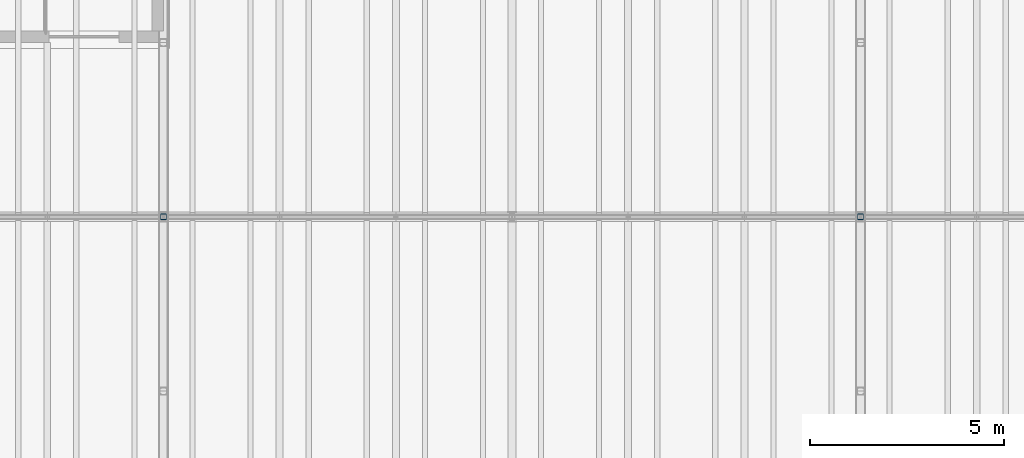
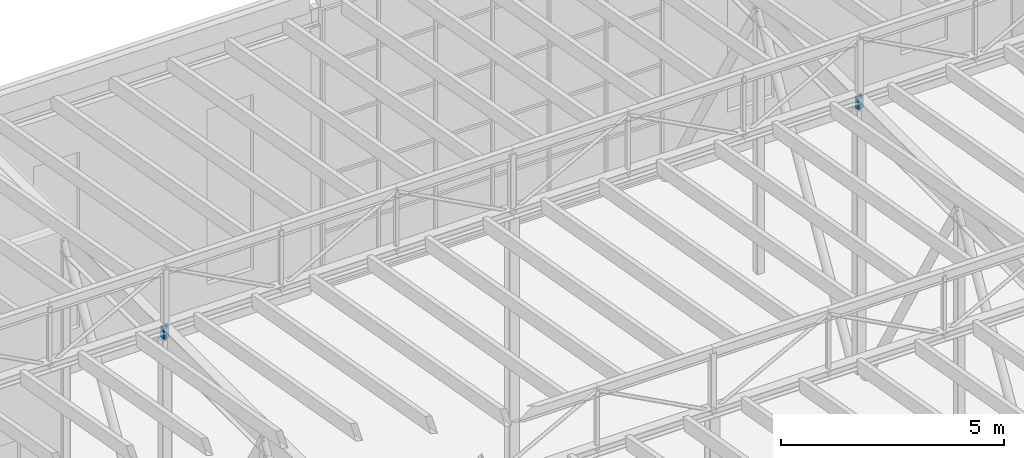
# One storey, part 65 of 90: 2 members.
"""IFC4 building model written with IfcOpenShell, lengths in metres."""

import ifcopenshell
import ifcopenshell.guid

model = None  # the IFC model being written
_history = None  # IfcOwnerHistory: only IFC2X3 demands one
_inside = {}  # id of a spatial element -> (the spatial element, [elements in it])
_under = {}  # id of a project, library or spatial element -> (it, [spatial elements below it])
_declared = {}  # id of a project -> (the project, [libraries it declares])
_typed = {}  # id of a type object -> (the type object, [elements of that type])
_made_of = {}  # id of a material, layer set ... -> (it, [elements and type objects made of it])


def new_model(schema):
    """Start an empty IFC model of exactly this schema.

    Asked for "IFC4X3", IfcOpenShell would pick the latest addendum, in which some entities
    have other attributes; the version numbers below select the first issue.
    IFC2X3 requires an IfcOwnerHistory on every rooted entity: one is made here for all.
    """
    global model, _history
    if schema == "IFC4X3":
        model = ifcopenshell.file(schema_version=(4, 3, 0, 0))
    else:
        model = ifcopenshell.file(schema=schema)
    _inside.clear()
    _under.clear()
    _declared.clear()
    _typed.clear()
    _made_of.clear()
    _history = None
    if model.schema == "IFC2X3":
        org = make("IfcOrganization", Name="unknown")
        user = make(
            "IfcPersonAndOrganization",
            ThePerson=make("IfcPerson", FamilyName="unknown"),
            TheOrganization=org,
        )
        app = make(
            "IfcApplication",
            ApplicationDeveloper=org,
            Version="unknown",
            ApplicationFullName="unknown",
            ApplicationIdentifier="unknown",
        )
        _history = make(
            "IfcOwnerHistory",
            OwningUser=user,
            OwningApplication=app,
            ChangeAction="ADDED",
            CreationDate=0,
        )
    return model


def make(cls, **values):
    """One entity of the class cls with the attributes given. An attribute that is None is left unset."""
    return model.create_entity(
        cls, **{name: value for name, value in values.items() if value is not None}
    )


def rooted(cls, **values):
    """An entity with a GlobalId (a new one), such as an element, a storey or a relation."""
    return make(cls, GlobalId=ifcopenshell.guid.new(), OwnerHistory=_history, **values)


def si_unit(unit_type, name, prefix=None):
    """IfcSIUnit, for example si_unit("LENGTHUNIT", "METRE", prefix="MILLI")."""
    return make("IfcSIUnit", UnitType=unit_type, Prefix=prefix, Name=name)


def assignment(units):
    """IfcUnitAssignment: the units of a project."""
    return None if units is None else make("IfcUnitAssignment", Units=units)


def point(xyz):
    """IfcCartesianPoint."""
    return None if xyz is None else make("IfcCartesianPoint", Coordinates=xyz)


def direction(xyz):
    """IfcDirection."""
    return None if xyz is None else make("IfcDirection", DirectionRatios=xyz)


def frame(location, z_axis=None, x_axis=None):
    """IfcAxis2Placement3D, a coordinate frame: its origin and axes. An axis left out is left unset."""
    return make(
        "IfcAxis2Placement3D",
        Location=point(location),
        Axis=direction(z_axis),
        RefDirection=direction(x_axis),
    )


def frame_2d(location, x_axis=None):
    """IfcAxis2Placement2D, a coordinate frame in the plane: its origin and x axis."""
    return make(
        "IfcAxis2Placement2D", Location=point(location), RefDirection=direction(x_axis)
    )


def origin():
    """The frame at (0, 0, 0) with its axes left unset."""
    return frame((0.0, 0.0, 0.0))


def origin_2d():
    """The frame at (0, 0) in the plane with its x axis left unset."""
    return frame_2d((0.0, 0.0))


def place(relative_to, where):
    """IfcLocalPlacement: puts the frame where relative to a parent placement (None: the world)."""
    return make(
        "IfcLocalPlacement", PlacementRelTo=relative_to, RelativePlacement=where
    )


def context(
    kind, dimensions, precision=None, world=None, true_north=None, identifier=None
):
    """IfcGeometricRepresentationContext, for example the 3D "Model" context."""
    return make(
        "IfcGeometricRepresentationContext",
        ContextIdentifier=identifier,
        ContextType=kind,
        CoordinateSpaceDimension=dimensions,
        Precision=precision,
        WorldCoordinateSystem=world,
        TrueNorth=true_north,
    )


def subcontext(parent, identifier, kind, view, scale=None):
    """IfcGeometricRepresentationSubContext, for example "Body" below "Model"."""
    return make(
        "IfcGeometricRepresentationSubContext",
        ContextIdentifier=identifier,
        ContextType=kind,
        ParentContext=parent,
        TargetScale=scale,
        TargetView=view,
    )


def project(units=None, contexts=None):
    """IfcProject with its units and contexts."""
    return rooted(
        "IfcProject",
        Name="project",
        RepresentationContexts=contexts,
        UnitsInContext=assignment(units),
    )


def spatial(cls, under=None, at=None, **own):
    """A site, building, storey or space (cls), placed at a placement, below another one or the project."""
    s = rooted(cls, ObjectPlacement=at, **own)
    if under is not None:
        _under.setdefault(under.id(), (under, []))[1].append(s)
    return s


def profile(cls, at=None, kind="AREA", **sizes):
    """A parametric profile (cls). Its sizes go by their IFC names, for example OverallWidth=200.0."""
    return make(cls, ProfileType=kind, Position=at, **sizes)


def hollow_rectangle(**sizes):
    """IfcRectangleHollowProfileDef."""
    return profile("IfcRectangleHollowProfileDef", **sizes)


def extrude(swept, where, along, depth):
    """IfcExtrudedAreaSolid: the profile swept, set in the frame where, extruded along a direction by depth."""
    return make(
        "IfcExtrudedAreaSolid",
        SweptArea=swept,
        Position=where,
        ExtrudedDirection=direction(along),
        Depth=depth,
    )


def shape(context_of_items, identifier, shape_type, items):
    """IfcShapeRepresentation: the items that make up one representation, for example the "Body"."""
    return make(
        "IfcShapeRepresentation",
        ContextOfItems=context_of_items,
        RepresentationIdentifier=identifier,
        RepresentationType=shape_type,
        Items=items,
    )


def material(Name=None, Category=None):
    """IfcMaterial."""
    return make("IfcMaterial", Name=Name, Category=Category)


def material_profile(
    of_material, cross_section, Name=None, Category=None, Priority=None
):
    """IfcMaterialProfile: a cross section and its material."""
    return make(
        "IfcMaterialProfile",
        Name=Name,
        Material=of_material,
        Profile=cross_section,
        Priority=Priority,
        Category=Category,
    )


def profile_set(profiles, Name=None, composite=None):
    """IfcMaterialProfileSet."""
    return make(
        "IfcMaterialProfileSet",
        Name=Name,
        MaterialProfiles=profiles,
        CompositeProfile=composite,
    )


def made_of(thing, what):
    """Note that an element or type object is made of a material, layer set ...; save() writes the relation."""
    if what is not None:
        _made_of.setdefault(what.id(), (what, []))[1].append(thing)
    return thing


def type_object(cls, material=None, **own):
    """A type object (cls), such as IfcWallType, which elements share."""
    return made_of(rooted(cls, **own), material)


def element(
    cls,
    number,
    at=None,
    inside=None,
    cuts=None,
    type_object=None,
    material=None,
    context=None,
    identifier="Body",
    shape_type=None,
    held_by="IfcProductDefinitionShape",
    body=None,
    shapes=None,
    **own,
):
    """One element of the class cls, such as IfcWall. Its Tag is "e" and its number.

    at: its placement. inside: the storey or other place that contains it. cuts: it is an
    opening in that element (IfcRelVoidsElement). A single representation is given by context,
    identifier, shape_type and body (its items); several are given by shapes. held_by: the class
    of the entity that holds the representations. save() writes the other relations.
    """
    e = rooted(cls, Tag="e%d" % number, ObjectPlacement=at, **own)
    if body is not None:
        shapes = [shape(context, identifier, shape_type, body)]
    if shapes is not None:
        e.Representation = make(held_by, Representations=shapes)
    if inside is not None:
        _inside.setdefault(inside.id(), (inside, []))[1].append(e)
    if cuts is not None:
        rooted(
            "IfcRelVoidsElement", RelatingBuildingElement=cuts, RelatedOpeningElement=e
        )
    if type_object is not None:
        _typed.setdefault(type_object.id(), (type_object, []))[1].append(e)
    return made_of(e, material)


def aggregate(whole, parts):
    """IfcRelAggregates: a whole, such as a stair, and the parts it consists of."""
    return rooted("IfcRelAggregates", RelatingObject=whole, RelatedObjects=parts)


def save(model, path):
    """Write the relations noted so far, then the file.

    IfcRelAggregates (storeys below a building ...), IfcRelContainedInSpatialStructure (elements
    in a storey), IfcRelDefinesByType, IfcRelAssociatesMaterial and IfcRelDeclares: one each for
    every whole, place, type object, material and project.
    """
    for whole, parts in _under.values():
        aggregate(whole, parts)
    for where, things in _inside.values():
        rooted(
            "IfcRelContainedInSpatialStructure",
            RelatedElements=things,
            RelatingStructure=where,
        )
    for kind, things in _typed.values():
        rooted("IfcRelDefinesByType", RelatedObjects=things, RelatingType=kind)
    for what, things in _made_of.values():
        rooted("IfcRelAssociatesMaterial", RelatedObjects=things, RelatingMaterial=what)
    for by, libraries in _declared.values():
        rooted("IfcRelDeclares", RelatingContext=by, RelatedDefinitions=libraries)
    model.write(path)


model = new_model("IFC4")

# Units and contexts
model_context = context("Model", 3, precision=1e-05, world=origin(), true_north=direction((0.0, 1.0)))
body_context = subcontext(model_context, "Body", "Model", "MODEL_VIEW")
ifc_project = project(units=[si_unit("LENGTHUNIT", "METRE"), si_unit("AREAUNIT", "SQUARE_METRE"), si_unit("VOLUMEUNIT", "CUBIC_METRE"), si_unit("PLANEANGLEUNIT", "RADIAN"), si_unit("MASSUNIT", "GRAM", prefix="KILO")], contexts=[model_context])

# Site, building, storey
site_placement = place(None, origin())
site = spatial("IfcSite", under=ifc_project, at=site_placement, CompositionType="ELEMENT")
building_placement = place(site_placement, origin())
building = spatial("IfcBuilding", under=site, at=building_placement, Name="Halyard Row Museum", CompositionType="ELEMENT")
storey_placement = place(building_placement, frame((0.0, 0.0, 13.39990234375)))
storey = spatial("IfcBuildingStorey", under=building, at=storey_placement, Name="L03", CompositionType="ELEMENT", Elevation=13.39990234375)

# Members
ifc_material = material(Name="Steel Grade C350L0", Category="steel")
ifc_material_profile = material_profile(ifc_material, hollow_rectangle(XDim=0.14990234375, YDim=0.14990234375, WallThickness=0.006103515625, InnerFilletRadius=0.009033203125, OuterFilletRadius=0.014892578125, at=origin_2d()), Name="150x150x6.0SHS")
ifc_profile_set = profile_set([ifc_material_profile], Name="Steel Grade C350L0")
member_type = type_object("IfcMemberType", Name="Valley truss post 150x150x6.0SHS", PredefinedType="POST", material=ifc_profile_set)
for number, where, z_axis, x_axis, name in (
    (1, (36.0, 36.0, 7.22998046875), (0.0, 0.0, 1.0), (1.0, 0.0, 0.0), "V1-VT3 post 1.3 (on transfer truss)"),
    (2, (54.0, 36.0, 7.22998046875), (0.0, 0.0, 1.0), (1.0, 0.0, 0.0), "V1-VT3 post 3.3 (on transfer truss)"),
):
    element("IfcMember", number, at=place(storey_placement, frame(where, z_axis=z_axis, x_axis=x_axis)), inside=storey, type_object=member_type, Name=name, PredefinedType="POST", context=body_context, shape_type="SweptSolid", body=[
        extrude(hollow_rectangle(XDim=0.14990234375, YDim=0.14990234375, WallThickness=0.006103515625, InnerFilletRadius=0.009033203125, OuterFilletRadius=0.014892578125, at=origin_2d()), origin(), (0.0, 0.0, 1.0), 0.297119140625),
    ])

save(model, "model.ifc")
